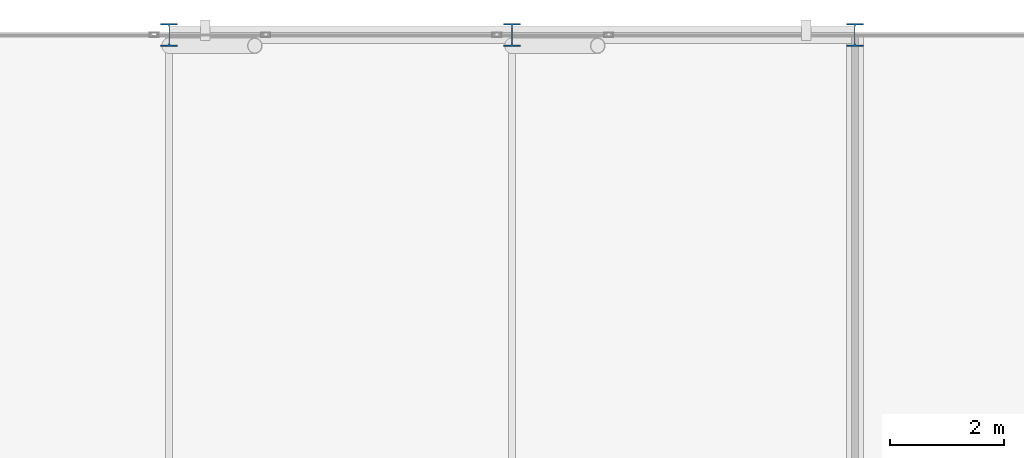
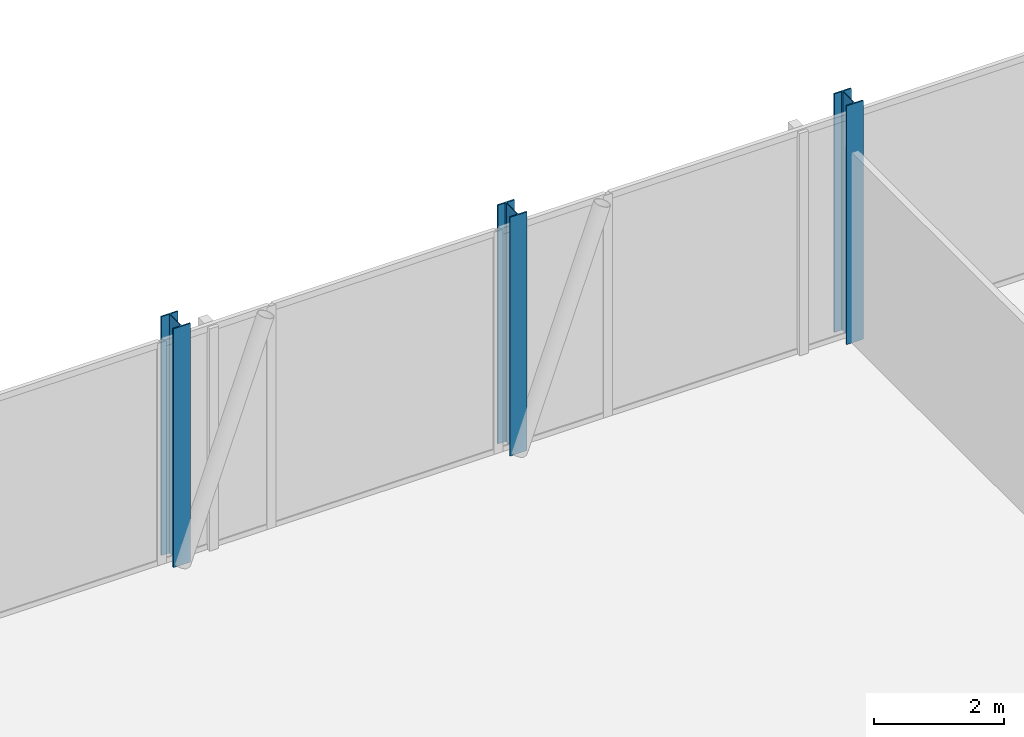
# One storey, part 2 of 24: 3 columns.
"""IFC4 building model written with IfcOpenShell, lengths in metres."""

import ifcopenshell
import ifcopenshell.guid

model = None  # the IFC model being written
_history = None  # IfcOwnerHistory: only IFC2X3 demands one
_inside = {}  # id of a spatial element -> (the spatial element, [elements in it])
_under = {}  # id of a project, library or spatial element -> (it, [spatial elements below it])
_declared = {}  # id of a project -> (the project, [libraries it declares])
_typed = {}  # id of a type object -> (the type object, [elements of that type])
_made_of = {}  # id of a material, layer set ... -> (it, [elements and type objects made of it])


def new_model(schema):
    """Start an empty IFC model of exactly this schema.

    Asked for "IFC4X3", IfcOpenShell would pick the latest addendum, in which some entities
    have other attributes; the version numbers below select the first issue.
    IFC2X3 requires an IfcOwnerHistory on every rooted entity: one is made here for all.
    """
    global model, _history
    if schema == "IFC4X3":
        model = ifcopenshell.file(schema_version=(4, 3, 0, 0))
    else:
        model = ifcopenshell.file(schema=schema)
    _inside.clear()
    _under.clear()
    _declared.clear()
    _typed.clear()
    _made_of.clear()
    _history = None
    if model.schema == "IFC2X3":
        org = make("IfcOrganization", Name="unknown")
        user = make(
            "IfcPersonAndOrganization",
            ThePerson=make("IfcPerson", FamilyName="unknown"),
            TheOrganization=org,
        )
        app = make(
            "IfcApplication",
            ApplicationDeveloper=org,
            Version="unknown",
            ApplicationFullName="unknown",
            ApplicationIdentifier="unknown",
        )
        _history = make(
            "IfcOwnerHistory",
            OwningUser=user,
            OwningApplication=app,
            ChangeAction="ADDED",
            CreationDate=0,
        )
    return model


def make(cls, **values):
    """One entity of the class cls with the attributes given. An attribute that is None is left unset."""
    return model.create_entity(
        cls, **{name: value for name, value in values.items() if value is not None}
    )


def rooted(cls, **values):
    """An entity with a GlobalId (a new one), such as an element, a storey or a relation."""
    return make(cls, GlobalId=ifcopenshell.guid.new(), OwnerHistory=_history, **values)


def si_unit(unit_type, name, prefix=None):
    """IfcSIUnit, for example si_unit("LENGTHUNIT", "METRE", prefix="MILLI")."""
    return make("IfcSIUnit", UnitType=unit_type, Prefix=prefix, Name=name)


def assignment(units):
    """IfcUnitAssignment: the units of a project."""
    return None if units is None else make("IfcUnitAssignment", Units=units)


def point(xyz):
    """IfcCartesianPoint."""
    return None if xyz is None else make("IfcCartesianPoint", Coordinates=xyz)


def direction(xyz):
    """IfcDirection."""
    return None if xyz is None else make("IfcDirection", DirectionRatios=xyz)


def frame(location, z_axis=None, x_axis=None):
    """IfcAxis2Placement3D, a coordinate frame: its origin and axes. An axis left out is left unset."""
    return make(
        "IfcAxis2Placement3D",
        Location=point(location),
        Axis=direction(z_axis),
        RefDirection=direction(x_axis),
    )


def frame_2d(location, x_axis=None):
    """IfcAxis2Placement2D, a coordinate frame in the plane: its origin and x axis."""
    return make(
        "IfcAxis2Placement2D", Location=point(location), RefDirection=direction(x_axis)
    )


def origin():
    """The frame at (0, 0, 0) with its axes left unset."""
    return frame((0.0, 0.0, 0.0))


def origin_2d():
    """The frame at (0, 0) in the plane with its x axis left unset."""
    return frame_2d((0.0, 0.0))


def place(relative_to, where):
    """IfcLocalPlacement: puts the frame where relative to a parent placement (None: the world)."""
    return make(
        "IfcLocalPlacement", PlacementRelTo=relative_to, RelativePlacement=where
    )


def context(
    kind, dimensions, precision=None, world=None, true_north=None, identifier=None
):
    """IfcGeometricRepresentationContext, for example the 3D "Model" context."""
    return make(
        "IfcGeometricRepresentationContext",
        ContextIdentifier=identifier,
        ContextType=kind,
        CoordinateSpaceDimension=dimensions,
        Precision=precision,
        WorldCoordinateSystem=world,
        TrueNorth=true_north,
    )


def subcontext(parent, identifier, kind, view, scale=None):
    """IfcGeometricRepresentationSubContext, for example "Body" below "Model"."""
    return make(
        "IfcGeometricRepresentationSubContext",
        ContextIdentifier=identifier,
        ContextType=kind,
        ParentContext=parent,
        TargetScale=scale,
        TargetView=view,
    )


def project(units=None, contexts=None):
    """IfcProject with its units and contexts."""
    return rooted(
        "IfcProject",
        Name="project",
        RepresentationContexts=contexts,
        UnitsInContext=assignment(units),
    )


def spatial(cls, under=None, at=None, **own):
    """A site, building, storey or space (cls), placed at a placement, below another one or the project."""
    s = rooted(cls, ObjectPlacement=at, **own)
    if under is not None:
        _under.setdefault(under.id(), (under, []))[1].append(s)
    return s


def profile(cls, at=None, kind="AREA", **sizes):
    """A parametric profile (cls). Its sizes go by their IFC names, for example OverallWidth=200.0."""
    return make(cls, ProfileType=kind, Position=at, **sizes)


def i_section(**sizes):
    """IfcIShapeProfileDef."""
    return profile("IfcIShapeProfileDef", **sizes)


def extrude(swept, where, along, depth):
    """IfcExtrudedAreaSolid: the profile swept, set in the frame where, extruded along a direction by depth."""
    return make(
        "IfcExtrudedAreaSolid",
        SweptArea=swept,
        Position=where,
        ExtrudedDirection=direction(along),
        Depth=depth,
    )


def shape(context_of_items, identifier, shape_type, items):
    """IfcShapeRepresentation: the items that make up one representation, for example the "Body"."""
    return make(
        "IfcShapeRepresentation",
        ContextOfItems=context_of_items,
        RepresentationIdentifier=identifier,
        RepresentationType=shape_type,
        Items=items,
    )


def material(Name=None, Category=None):
    """IfcMaterial."""
    return make("IfcMaterial", Name=Name, Category=Category)


def material_profile(
    of_material, cross_section, Name=None, Category=None, Priority=None
):
    """IfcMaterialProfile: a cross section and its material."""
    return make(
        "IfcMaterialProfile",
        Name=Name,
        Material=of_material,
        Profile=cross_section,
        Priority=Priority,
        Category=Category,
    )


def profile_set(profiles, Name=None, composite=None):
    """IfcMaterialProfileSet."""
    return make(
        "IfcMaterialProfileSet",
        Name=Name,
        MaterialProfiles=profiles,
        CompositeProfile=composite,
    )


def made_of(thing, what):
    """Note that an element or type object is made of a material, layer set ...; save() writes the relation."""
    if what is not None:
        _made_of.setdefault(what.id(), (what, []))[1].append(thing)
    return thing


def type_object(cls, material=None, **own):
    """A type object (cls), such as IfcWallType, which elements share."""
    return made_of(rooted(cls, **own), material)


def element(
    cls,
    number,
    at=None,
    inside=None,
    cuts=None,
    type_object=None,
    material=None,
    context=None,
    identifier="Body",
    shape_type=None,
    held_by="IfcProductDefinitionShape",
    body=None,
    shapes=None,
    **own,
):
    """One element of the class cls, such as IfcWall. Its Tag is "e" and its number.

    at: its placement. inside: the storey or other place that contains it. cuts: it is an
    opening in that element (IfcRelVoidsElement). A single representation is given by context,
    identifier, shape_type and body (its items); several are given by shapes. held_by: the class
    of the entity that holds the representations. save() writes the other relations.
    """
    e = rooted(cls, Tag="e%d" % number, ObjectPlacement=at, **own)
    if body is not None:
        shapes = [shape(context, identifier, shape_type, body)]
    if shapes is not None:
        e.Representation = make(held_by, Representations=shapes)
    if inside is not None:
        _inside.setdefault(inside.id(), (inside, []))[1].append(e)
    if cuts is not None:
        rooted(
            "IfcRelVoidsElement", RelatingBuildingElement=cuts, RelatedOpeningElement=e
        )
    if type_object is not None:
        _typed.setdefault(type_object.id(), (type_object, []))[1].append(e)
    return made_of(e, material)


def aggregate(whole, parts):
    """IfcRelAggregates: a whole, such as a stair, and the parts it consists of."""
    return rooted("IfcRelAggregates", RelatingObject=whole, RelatedObjects=parts)


def save(model, path):
    """Write the relations noted so far, then the file.

    IfcRelAggregates (storeys below a building ...), IfcRelContainedInSpatialStructure (elements
    in a storey), IfcRelDefinesByType, IfcRelAssociatesMaterial and IfcRelDeclares: one each for
    every whole, place, type object, material and project.
    """
    for whole, parts in _under.values():
        aggregate(whole, parts)
    for where, things in _inside.values():
        rooted(
            "IfcRelContainedInSpatialStructure",
            RelatedElements=things,
            RelatingStructure=where,
        )
    for kind, things in _typed.values():
        rooted("IfcRelDefinesByType", RelatedObjects=things, RelatingType=kind)
    for what, things in _made_of.values():
        rooted("IfcRelAssociatesMaterial", RelatedObjects=things, RelatingMaterial=what)
    for by, libraries in _declared.values():
        rooted("IfcRelDeclares", RelatingContext=by, RelatedDefinitions=libraries)
    model.write(path)


model = new_model("IFC4")

# Units and contexts
model_context = context("Model", 3, precision=1e-05, world=origin(), true_north=direction((0.0, 1.0)))
body_context = subcontext(model_context, "Body", "Model", "MODEL_VIEW")
ifc_project = project(units=[si_unit("LENGTHUNIT", "METRE"), si_unit("AREAUNIT", "SQUARE_METRE"), si_unit("VOLUMEUNIT", "CUBIC_METRE"), si_unit("PLANEANGLEUNIT", "RADIAN"), si_unit("MASSUNIT", "GRAM", prefix="KILO")], contexts=[model_context])

# Site, building, storey
site_placement = place(None, origin())
site = spatial("IfcSite", under=ifc_project, at=site_placement, CompositionType="ELEMENT")
building_placement = place(site_placement, origin())
building = spatial("IfcBuilding", under=site, at=building_placement, Name="Keshet Zoharim Tower", CompositionType="ELEMENT")
storey_placement = place(building_placement, frame((0.0, 0.0, 242.800048828125)))
storey = spatial("IfcBuildingStorey", under=building, at=storey_placement, Name="L60", CompositionType="ELEMENT", Elevation=242.800048828125)

# Columns
ifc_material = material(Name="Steel S355", Category="steel")
ifc_material_profile = material_profile(ifc_material, i_section(OverallWidth=0.300048828125, OverallDepth=0.39990234375, WebThickness=0.013427734375, FlangeThickness=0.02392578125, FilletRadius=0.027099609375, at=origin_2d()), Name="HEB400")
ifc_profile_set = profile_set([ifc_material_profile], Name="Steel S355")
column_type = type_object("IfcColumnType", Name="COL-HEB400", PredefinedType="COLUMN", material=ifc_profile_set)
for number, where, z_axis, x_axis, name in (
    (1, (21.0, 53.89990234375, 0.0), (0.0, 0.0, 1.0), (1.0, 0.0, 0.0), "L60 Column 4L"),
    (2, (27.0, 53.89990234375, 0.0), (0.0, 0.0, 1.0), (1.0, 0.0, 0.0), "L60 Column 5L"),
    (3, (33.0, 53.89990234375, 0.0), (0.0, 0.0, 1.0), (1.0, 0.0, 0.0), "L60 Column 6L"),
):
    element("IfcColumn", number, at=place(storey_placement, frame(where, z_axis=z_axis, x_axis=x_axis)), inside=storey, type_object=column_type, Name=name, PredefinedType="COLUMN", context=body_context, shape_type="SweptSolid", body=[
        extrude(i_section(OverallWidth=0.300048828125, OverallDepth=0.39990234375, WebThickness=0.013427734375, FlangeThickness=0.02392578125, FilletRadius=0.027099609375, at=origin_2d()), origin(), (0.0, 0.0, 1.0), 4.5),
    ])

save(model, "model.ifc")
